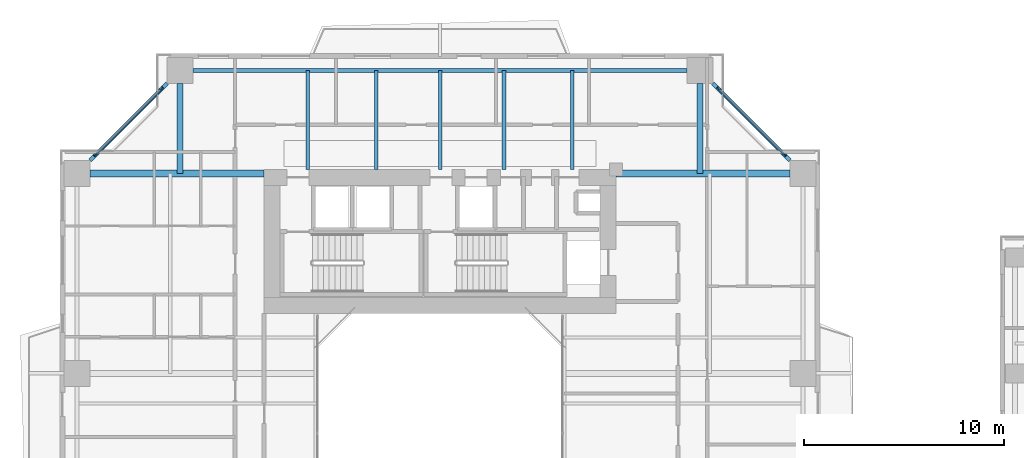
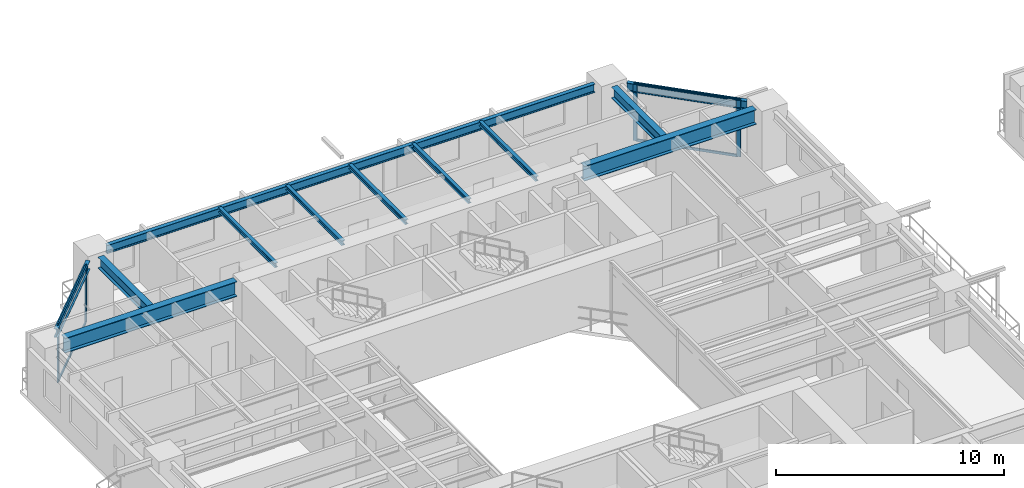
# One storey, part 9 of 23: 12 beams, 8 members, 2 elements without a shape of their own.
"""IFC4 building model written with IfcOpenShell, lengths in metres."""

from ifc_helpers import new_model, si_unit, direction, frame, origin, origin_2d, place, context, subcontext, project, spatial, rectangle, i_section, extrude, source, transform, mapped, material, layer, layer_set, material_profile, profile_set, type_object, element, aggregate, save


model = new_model("IFC4")

# Units and contexts
model_context = context("Model", 3, precision=1e-05, world=origin(), true_north=direction((0.0, 1.0)))
body_context = subcontext(model_context, "Body", "Model", "MODEL_VIEW")
ifc_project = project(units=[si_unit("LENGTHUNIT", "METRE"), si_unit("AREAUNIT", "SQUARE_METRE"), si_unit("VOLUMEUNIT", "CUBIC_METRE"), si_unit("PLANEANGLEUNIT", "RADIAN"), si_unit("MASSUNIT", "GRAM", prefix="KILO"), si_unit("THERMODYNAMICTEMPERATUREUNIT", "KELVIN"), si_unit("POWERUNIT", "WATT")], contexts=[model_context])

# Site, building, storey
site_placement = place(None, origin())
site = spatial("IfcSite", under=ifc_project, at=site_placement, CompositionType="ELEMENT")
building_placement = place(site_placement, origin())
building = spatial("IfcBuilding", under=site, at=building_placement, Name="Qiaomeng Ring Towers", CompositionType="ELEMENT")
storey_placement = place(building_placement, frame((0.0, 0.0, 60.0)))
storey = spatial("IfcBuildingStorey", under=building, at=storey_placement, Name="L16", CompositionType="ELEMENT", Elevation=60.0)

# Beams
ifc_material_1 = material(Name="Steel Q355B", Category="steel")
ifc_material_profile_1 = material_profile(ifc_material_1, i_section(OverallWidth=0.199951171875, OverallDepth=0.449951171875, WebThickness=0.009033203125, FlangeThickness=0.013916015625, FilletRadius=0.01806640625, at=origin_2d()), Name="HN 450x200x9x14")
ifc_profile_set_1 = profile_set([ifc_material_profile_1], Name="Steel Q355B")
beam_type_1 = type_object("IfcBeamType", Name="STR-BM-HN450", PredefinedType="SPANDREL", material=ifc_profile_set_1)
shared_shape_1 = source(origin(), body_context, "Body", "SweptSolid", [
    extrude(i_section(OverallWidth=0.199951171875, OverallDepth=0.449951171875, WebThickness=0.009033203125, FlangeThickness=0.013916015625, FilletRadius=0.01806640625, at=origin_2d()), origin(), (0.0, 0.0, 1.0), 24.7021484375),
])
beam_placement = place(storey_placement, frame((31.35107421875, 41.14990234375, 2.844970703125), z_axis=(-1.0, 0.0, 0.0), x_axis=(0.0, -1.0, 0.0)))
element("IfcBeam", 1, at=beam_placement, inside=storey, type_object=beam_type_1, Name="L16 beam STR-SP-L16-T1-N2-N1", PredefinedType="SPANDREL", context=body_context, shape_type="MappedRepresentation", body=[
    mapped(shared_shape_1, transform((0.0, 0.0, 0.0), x_axis=(1.0, 0.0, 0.0), y_axis=(0.0, 1.0, 0.0), z_axis=(0.0, 0.0, 1.0), scale=1.0)),
])
shared_shape_2 = source(origin(), body_context, "Body", "SweptSolid", [
    extrude(i_section(OverallWidth=0.199951171875, OverallDepth=0.449951171875, WebThickness=0.009033203125, FlangeThickness=0.013916015625, FilletRadius=0.01806640625, at=origin_2d()), origin(), (0.0, 0.0, 1.0), 5.446533203125),
])
for number, where, z_axis, x_axis, name in (
    (2, (36.500732421875, 36.6494140625, 2.844970703125), (-0.707106781187, 0.707106781187, 0.0), (-0.707106781187, -0.707106781187, 0.0), "L16 beam STR-SP-L16-T1-E4-N2"),
    (3, (5.3505859375, 40.500732421875, 2.844970703125), (-0.707106781187, -0.707106781187, 0.0), (0.707106781187, -0.707106781187, 0.0), "L16 beam STR-SP-L16-T1-N1-W4"),
):
    element("IfcBeam", number, at=place(storey_placement, frame(where, z_axis=z_axis, x_axis=x_axis)), inside=storey, type_object=beam_type_1, Name=name, PredefinedType="SPANDREL", context=body_context, shape_type="MappedRepresentation", body=[
        mapped(shared_shape_2, transform((0.0, 0.0, 0.0), x_axis=(1.0, 0.0, 0.0), y_axis=(0.0, 1.0, 0.0), z_axis=(0.0, 0.0, 1.0), scale=1.0)),
    ])
ifc_material_2 = material(Name="Steel Q390GJC", Category="steel")
ifc_material_profile_2 = material_profile(ifc_material_2, i_section(OverallWidth=0.35009765625, OverallDepth=0.800048828125, WebThickness=0.01611328125, FlangeThickness=0.028076171875, at=origin_2d()), Name="WH 800x350x16x28")
ifc_profile_set_2 = profile_set([ifc_material_profile_2], Name="Steel Q390GJC")
beam_type_2 = type_object("IfcBeamType", Name="STR-BM-WH800", PredefinedType="BEAM", material=ifc_profile_set_2)
shared_shape_3 = source(origin(), body_context, "Body", "SweptSolid", [
    extrude(i_section(OverallWidth=0.35009765625, OverallDepth=0.800048828125, WebThickness=0.01611328125, FlangeThickness=0.028076171875, at=origin_2d()), origin(), (0.0, 0.0, 1.0), 8.700927734375),
])
for number, where, z_axis, x_axis, name in (
    (4, (1.4990234375, 36.0, 2.669921875), (1.0, 0.0, 0.0), (0.0, 1.0, 0.0), "L16 beam STR-BM-L16-T1-RAD-W4"),
    (5, (27.800048828125, 36.0, 2.669921875), (1.0, 0.0, 0.0), (0.0, 1.0, 0.0), "L16 beam STR-BM-L16-T1-RAD-E4"),
):
    element("IfcBeam", number, at=place(storey_placement, frame(where, z_axis=z_axis, x_axis=x_axis)), inside=storey, type_object=beam_type_2, Name=name, PredefinedType="BEAM", context=body_context, shape_type="MappedRepresentation", body=[
        mapped(shared_shape_3, transform((0.0, 0.0, 0.0), x_axis=(1.0, 0.0, 0.0), y_axis=(0.0, 1.0, 0.0), z_axis=(0.0, 0.0, 1.0), scale=1.0)),
    ])
ifc_material_profile_3 = material_profile(ifc_material_1, i_section(OverallWidth=0.300048828125, OverallDepth=0.587890625, WebThickness=0.011962890625, FlangeThickness=0.02001953125, FilletRadius=0.028076171875, at=origin_2d()), Name="HM 588x300x12x20")
ifc_profile_set_3 = profile_set([ifc_material_profile_3], Name="Steel Q355B")
beam_type_3 = type_object("IfcBeamType", Name="STR-BM-HM588", PredefinedType="BEAM", material=ifc_profile_set_3)
shared_shape_4 = source(origin(), body_context, "Body", "SweptSolid", [
    extrude(i_section(OverallWidth=0.300048828125, OverallDepth=0.587890625, WebThickness=0.011962890625, FlangeThickness=0.02001953125, FilletRadius=0.028076171875, at=origin_2d()), origin(), (0.0, 0.0, 1.0), 4.5009765625),
])
for number, where, z_axis, x_axis, name in (
    (6, (6.0, 40.5009765625, 2.77587890625), (0.0, -1.0, 0.0), (1.0, 0.0, 0.0), "L16 beam STR-BM-L16-T1-RAD-N1"),
    (7, (32.0, 40.5009765625, 2.77587890625), (0.0, -1.0, 0.0), (1.0, 0.0, 0.0), "L16 beam STR-BM-L16-T1-RAD-N2"),
):
    element("IfcBeam", number, at=place(storey_placement, frame(where, z_axis=z_axis, x_axis=x_axis)), inside=storey, type_object=beam_type_3, Name=name, PredefinedType="BEAM", context=body_context, shape_type="MappedRepresentation", body=[
        mapped(shared_shape_4, transform((0.0, 0.0, 0.0), x_axis=(1.0, 0.0, 0.0), y_axis=(0.0, 1.0, 0.0), z_axis=(0.0, 0.0, 1.0), scale=1.0)),
    ])
ifc_material_profile_4 = material_profile(ifc_material_1, i_section(OverallWidth=0.175048828125, OverallDepth=0.243896484375, WebThickness=0.007080078125, FlangeThickness=0.010986328125, FilletRadius=0.01611328125, at=origin_2d()), Name="HM 244x175x7x11")
ifc_profile_set_4 = profile_set([ifc_material_profile_4], Name="Steel Q355B")
beam_type_4 = type_object("IfcBeamType", Name="STR-BM-HM244", PredefinedType="JOIST", material=ifc_profile_set_4)
shared_shape_5 = source(origin(), body_context, "Body", "SweptSolid", [
    extrude(i_section(OverallWidth=0.175048828125, OverallDepth=0.243896484375, WebThickness=0.007080078125, FlangeThickness=0.010986328125, FilletRadius=0.01611328125, at=origin_2d()), origin(), (0.0, 0.0, 1.0), 4.949951171875),
])
for number, where, z_axis, x_axis, name in (
    (8, (12.39990234375, 36.199951171875, 2.947998046875), (0.0, 1.0, 0.0), (-1.0, 0.0, 0.0), "L16 beam STR-JST-L16-T1N-1"),
    (9, (15.800048828125, 36.199951171875, 2.947998046875), (0.0, 1.0, 0.0), (-1.0, 0.0, 0.0), "L16 beam STR-JST-L16-T1N-2"),
    (10, (19.0, 36.199951171875, 2.947998046875), (0.0, 1.0, 0.0), (-1.0, 0.0, 0.0), "L16 beam STR-JST-L16-T1N-3"),
    (11, (22.199951171875, 36.199951171875, 2.947998046875), (0.0, 1.0, 0.0), (-1.0, 0.0, 0.0), "L16 beam STR-JST-L16-T1N-4"),
    (12, (25.60009765625, 36.199951171875, 2.947998046875), (0.0, 1.0, 0.0), (-1.0, 0.0, 0.0), "L16 beam STR-JST-L16-T1N-5"),
):
    element("IfcBeam", number, at=place(storey_placement, frame(where, z_axis=z_axis, x_axis=x_axis)), inside=storey, type_object=beam_type_4, Name=name, PredefinedType="JOIST", context=body_context, shape_type="MappedRepresentation", body=[
        mapped(shared_shape_5, transform((0.0, 0.0, 0.0), x_axis=(1.0, 0.0, 0.0), y_axis=(0.0, 1.0, 0.0), z_axis=(0.0, 0.0, 1.0), scale=1.0)),
    ])

# Curtain wall, members
ifc_material_3 = material(Name="Fluorocarbon dark-grey aluminium", Category="aluminium")
ifc_layer = layer(ifc_material_3, 0.159912109375, Name="Fluorocarbon dark-grey aluminium")
ifc_layer_set = layer_set([ifc_layer], Name="Fluorocarbon dark-grey aluminium")
curtain_wall_type = type_object("IfcCurtainWallType", Name="ARC-CW-2", PredefinedType="NOTDEFINED", material=ifc_layer_set)
curtain_wall_1_placement = place(storey_placement, origin())
curtain_wall_1 = element("IfcCurtainWall", 13, at=curtain_wall_1_placement, inside=storey, type_object=curtain_wall_type, Name="L16 Curtain Wall CW2", PredefinedType="NOTDEFINED")
ifc_material_profile_5 = material_profile(ifc_material_3, rectangle(XDim=0.070068359375, YDim=0.179931640625, at=origin_2d()), Name="ALU MULL 70x180")
ifc_profile_set_5 = profile_set([ifc_material_profile_5], Name="Fluorocarbon dark-grey aluminium")
member_type_1 = type_object("IfcMemberType", Name="ARC-CWM-160", PredefinedType="MULLION", material=ifc_profile_set_5)
shared_shape_6 = source(origin(), body_context, "Body", "SweptSolid", [
    extrude(rectangle(XDim=0.070068359375, YDim=0.179931640625, at=origin_2d()), origin(), (0.0, 0.0, 1.0), 3.070068359375),
])
member_1_placement = place(storey_placement, frame((36.2353515625, 36.914794921875, 0.0), z_axis=(0.0, 0.0, 1.0), x_axis=(-0.707106781187, -0.707106781187, 0.0)))
member_1 = element("IfcMember", 14, at=member_1_placement, type_object=member_type_1, Name="CW2 mullion 1", PredefinedType="MULLION", context=body_context, shape_type="MappedRepresentation", body=[
    mapped(shared_shape_6, transform((0.0, 0.0, 0.0), x_axis=(1.0, 0.0, 0.0), y_axis=(0.0, 1.0, 0.0), z_axis=(0.0, 0.0, 1.0), scale=1.0)),
])
member_2_placement = place(storey_placement, frame((32.914794921875, 40.2353515625, 0.0), z_axis=(0.0, 0.0, 1.0), x_axis=(-0.707106781187, -0.707106781187, 0.0)))
member_2 = element("IfcMember", 15, at=member_2_placement, type_object=member_type_1, Name="CW2 mullion 2", PredefinedType="MULLION", context=body_context, shape_type="MappedRepresentation", body=[
    mapped(shared_shape_6, transform((0.0, 0.0, 0.0), x_axis=(1.0, 0.0, 0.0), y_axis=(0.0, 1.0, 0.0), z_axis=(0.0, 0.0, 1.0), scale=1.0)),
])

curtain_wall_2_placement = place(storey_placement, origin())
curtain_wall_2 = element("IfcCurtainWall", 16, at=curtain_wall_2_placement, inside=storey, type_object=curtain_wall_type, Name="L16 Curtain Wall CW2", PredefinedType="NOTDEFINED")
member_3_placement = place(storey_placement, frame((5.085205078125, 40.2353515625, 0.0), z_axis=(0.0, 0.0, 1.0), x_axis=(0.707106781187, -0.707106781187, 0.0)))
member_3 = element("IfcMember", 17, at=member_3_placement, type_object=member_type_1, Name="CW2 mullion 1", PredefinedType="MULLION", context=body_context, shape_type="MappedRepresentation", body=[
    mapped(shared_shape_6, transform((0.0, 0.0, 0.0), x_axis=(1.0, 0.0, 0.0), y_axis=(0.0, 1.0, 0.0), z_axis=(0.0, 0.0, 1.0), scale=1.0)),
])
member_4_placement = place(storey_placement, frame((1.7646484375, 36.914794921875, 0.0), z_axis=(0.0, 0.0, 1.0), x_axis=(0.707106781187, -0.707106781187, 0.0)))
member_4 = element("IfcMember", 18, at=member_4_placement, type_object=member_type_1, Name="CW2 mullion 2", PredefinedType="MULLION", context=body_context, shape_type="MappedRepresentation", body=[
    mapped(shared_shape_6, transform((0.0, 0.0, 0.0), x_axis=(1.0, 0.0, 0.0), y_axis=(0.0, 1.0, 0.0), z_axis=(0.0, 0.0, 1.0), scale=1.0)),
])

# Member
ifc_material_profile_6 = material_profile(ifc_material_3, rectangle(XDim=0.06494140625, YDim=0.1298828125, at=origin_2d()), Name="ALU TRAN 65x130")
ifc_profile_set_6 = profile_set([ifc_material_profile_6], Name="Fluorocarbon dark-grey aluminium")
member_type_2 = type_object("IfcMemberType", Name="ARC-CWT-120", PredefinedType="USERDEFINED", material=ifc_profile_set_6)
shared_shape_7 = source(origin(), body_context, "Body", "SweptSolid", [
    extrude(rectangle(XDim=0.06494140625, YDim=0.1298828125, at=origin_2d()), origin(), (0.0, 0.0, 1.0), 4.6259765625),
])
member_5_placement = place(storey_placement, frame((36.21044921875, 36.939453125, 0.032470703125), z_axis=(-0.707106781187, 0.707106781187, 0.0), x_axis=(-0.707106781187, -0.707106781187, 0.0)))
member_5 = element("IfcMember", 19, at=member_5_placement, type_object=member_type_2, Name="CW2 transom 1.1", ObjectType="TRANSOM", PredefinedType="USERDEFINED", context=body_context, shape_type="MappedRepresentation", body=[
    mapped(shared_shape_7, transform((0.0, 0.0, 0.0), x_axis=(1.0, 0.0, 0.0), y_axis=(0.0, 1.0, 0.0), z_axis=(0.0, 0.0, 1.0), scale=1.0)),
])

member_6_placement = place(storey_placement, frame((36.21044921875, 36.939453125, 3.03759765625), z_axis=(-0.707106781187, 0.707106781187, 0.0), x_axis=(-0.707106781187, -0.707106781187, 0.0)))
member_6 = element("IfcMember", 20, at=member_6_placement, type_object=member_type_2, Name="CW2 transom 1.2", ObjectType="TRANSOM", PredefinedType="USERDEFINED", context=body_context, shape_type="MappedRepresentation", body=[
    mapped(shared_shape_7, transform((0.0, 0.0, 0.0), x_axis=(1.0, 0.0, 0.0), y_axis=(0.0, 1.0, 0.0), z_axis=(0.0, 0.0, 1.0), scale=1.0)),
])

aggregate(curtain_wall_1, [member_1, member_2, member_5, member_6])

member_7_placement = place(storey_placement, frame((5.060546875, 40.21044921875, 0.032470703125), z_axis=(-0.707106781187, -0.707106781187, 0.0), x_axis=(0.707106781187, -0.707106781187, 0.0)))
member_7 = element("IfcMember", 21, at=member_7_placement, type_object=member_type_2, Name="CW2 transom 1.1", ObjectType="TRANSOM", PredefinedType="USERDEFINED", context=body_context, shape_type="MappedRepresentation", body=[
    mapped(shared_shape_7, transform((0.0, 0.0, 0.0), x_axis=(1.0, 0.0, 0.0), y_axis=(0.0, 1.0, 0.0), z_axis=(0.0, 0.0, 1.0), scale=1.0)),
])

member_8_placement = place(storey_placement, frame((5.060546875, 40.21044921875, 3.03759765625), z_axis=(-0.707106781187, -0.707106781187, 0.0), x_axis=(0.707106781187, -0.707106781187, 0.0)))
member_8 = element("IfcMember", 22, at=member_8_placement, type_object=member_type_2, Name="CW2 transom 1.2", ObjectType="TRANSOM", PredefinedType="USERDEFINED", context=body_context, shape_type="MappedRepresentation", body=[
    mapped(shared_shape_7, transform((0.0, 0.0, 0.0), x_axis=(1.0, 0.0, 0.0), y_axis=(0.0, 1.0, 0.0), z_axis=(0.0, 0.0, 1.0), scale=1.0)),
])

aggregate(curtain_wall_2, [member_3, member_4, member_7, member_8])

save(model, "model.ifc")
